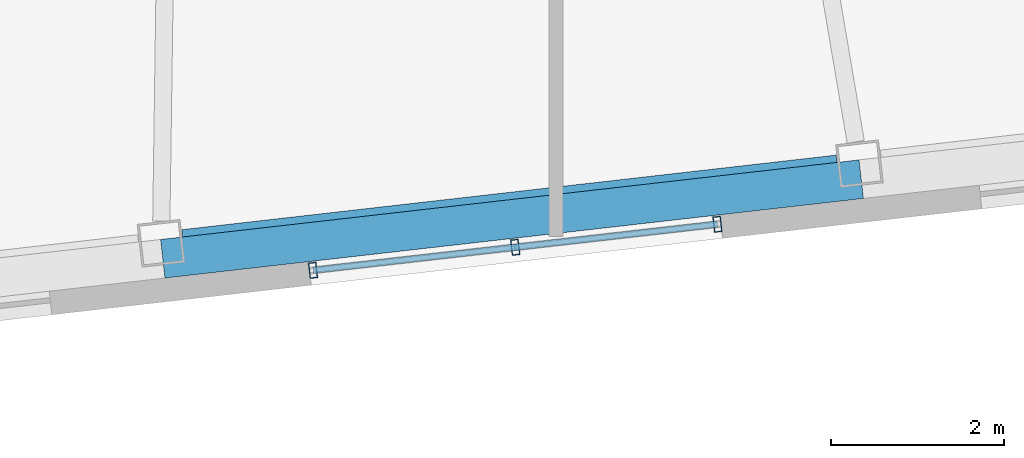
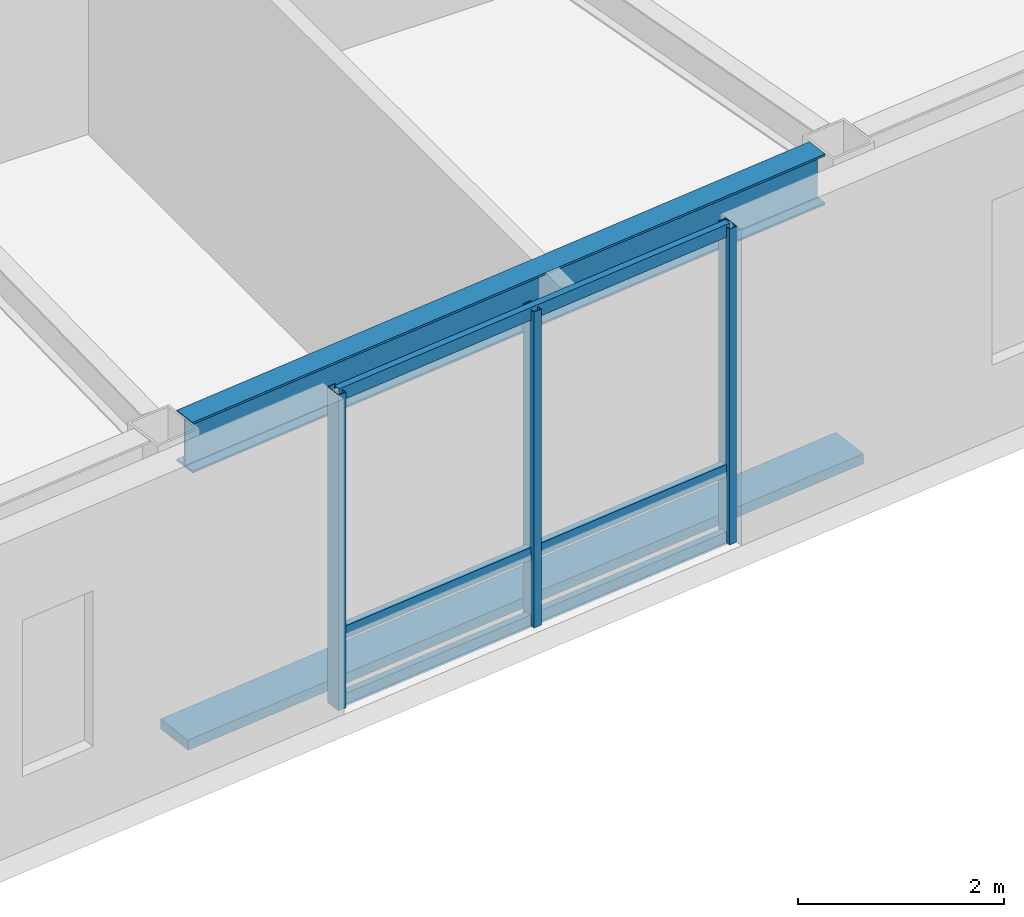
# One storey, part 6 of 19: 7 members, 1 beam, 1 element without a shape of its own.
"""IFC4 building model written with IfcOpenShell, lengths in metres."""

from ifc_helpers import new_model, si_unit, direction, frame, origin, origin_2d, place, context, subcontext, project, spatial, rectangle, hollow_rectangle, i_section, extrude, material, layer, layer_set, material_profile, profile_set, type_object, element, aggregate, save


model = new_model("IFC4")

# Units and contexts
model_context = context("Model", 3, precision=1e-05, world=origin(), true_north=direction((0.0, 1.0)))
body_context = subcontext(model_context, "Body", "Model", "MODEL_VIEW")
ifc_project = project(units=[si_unit("LENGTHUNIT", "METRE"), si_unit("AREAUNIT", "SQUARE_METRE"), si_unit("VOLUMEUNIT", "CUBIC_METRE"), si_unit("PLANEANGLEUNIT", "RADIAN"), si_unit("MASSUNIT", "GRAM", prefix="KILO")], contexts=[model_context])

# Site, building, storey
site_placement = place(None, origin())
site = spatial("IfcSite", under=ifc_project, at=site_placement, CompositionType="ELEMENT")
building_placement = place(site_placement, origin())
building = spatial("IfcBuilding", under=site, at=building_placement, Name="Tavrogorsk Clinical Tower", CompositionType="ELEMENT")
storey_placement = place(building_placement, frame((0.0, 0.0, 255.0)))
storey = spatial("IfcBuildingStorey", under=building, at=storey_placement, Name="L59", CompositionType="ELEMENT", Elevation=255.0)

# Member
ifc_material_1 = material(Name="Anodised aluminium alloy AW-6063", Category="aluminium")
ifc_material_profile_1 = material_profile(ifc_material_1, rectangle(XDim=0.449951171875, YDim=0.1201171875, at=origin_2d()), Name="ALU-SUNSHADE-450x120")
ifc_profile_set_1 = profile_set([ifc_material_profile_1], Name="Anodised aluminium alloy AW-6063")
member_type_1 = type_object("IfcMemberType", Name="ChicagoSunshade_450x120", PredefinedType="USERDEFINED", material=ifc_profile_set_1)
member_1_placement = place(storey_placement, frame((4.240478515625, -19.29150390625, 0.179931640625), z_axis=(0.9935729766, 0.113193375116, 0.0), x_axis=(-0.113193375116, 0.9935729766, 0.0)))
element("IfcMember", 1, at=member_1_placement, inside=storey, type_object=member_type_1, Name="L59 South Aluminium Sunshade S5", ObjectType="SUNSHADE", PredefinedType="USERDEFINED", context=body_context, shape_type="SweptSolid", body=[
    extrude(rectangle(XDim=0.449951171875, YDim=0.1201171875, at=origin_2d()), origin(), (0.0, 0.0, 1.0), 8.148681640625),
])

# Curtain wall, members
ifc_material_2 = material(Name="Anodised aluminium and triple IGU glazing", Category="aluminium")
ifc_layer = layer(ifc_material_2, 0.179931640625)
ifc_layer_set = layer_set([ifc_layer], Name="Anodised aluminium and triple IGU glazing")
curtain_wall_type = type_object("IfcCurtainWallType", Name="CW3_SouthSlot", PredefinedType="NOTDEFINED", material=ifc_layer_set)
curtain_wall_placement = place(storey_placement, origin())
curtain_wall = element("IfcCurtainWall", 2, at=curtain_wall_placement, inside=storey, type_object=curtain_wall_type, Name="L59 Curtain Wall CW-L59-S-SLOT-2", PredefinedType="NOTDEFINED")
ifc_material_3 = material(Name="Anodised aluminium alloy AW-6060", Category="aluminium")
ifc_material_profile_2 = material_profile(ifc_material_3, hollow_rectangle(XDim=0.090087890625, YDim=0.179931640625, WallThickness=0.00634765625, at=origin_2d()), Name="RHS-180x90x6.3")
ifc_profile_set_2 = profile_set([ifc_material_profile_2], Name="Anodised aluminium alloy AW-6060")
member_type_2 = type_object("IfcMemberType", Name="CwMullion_180x90", PredefinedType="MULLION", material=ifc_profile_set_2)
member_2_placement = place(storey_placement, frame((5.982177734375, -19.42529296875, 0.0), z_axis=(0.0, 0.0, 1.0), x_axis=(0.993571855603, 0.11320321441, 0.0)))
member_2 = element("IfcMember", 3, at=member_2_placement, type_object=member_type_2, Name="CW-L59-S-SLOT-2 Mullion 1", PredefinedType="MULLION", context=body_context, shape_type="SweptSolid", body=[
    extrude(hollow_rectangle(XDim=0.090087890625, YDim=0.179931640625, WallThickness=0.00634765625, at=origin_2d()), origin(), (0.0, 0.0, 1.0), 3.739990234375),
])
member_3_placement = place(storey_placement, frame((8.325927734375, -19.158203125, 0.0), z_axis=(0.0, 0.0, 1.0), x_axis=(0.993571855603, 0.11320321441, 0.0)))
member_3 = element("IfcMember", 4, at=member_3_placement, type_object=member_type_2, Name="CW-L59-S-SLOT-2 Mullion 2", PredefinedType="MULLION", context=body_context, shape_type="SweptSolid", body=[
    extrude(hollow_rectangle(XDim=0.090087890625, YDim=0.179931640625, WallThickness=0.00634765625, at=origin_2d()), origin(), (0.0, 0.0, 1.0), 3.739990234375),
])
member_4_placement = place(storey_placement, frame((10.669677734375, -18.89111328125, 0.0), z_axis=(0.0, 0.0, 1.0), x_axis=(0.993571855603, 0.11320321441, 0.0)))
member_4 = element("IfcMember", 5, at=member_4_placement, type_object=member_type_2, Name="CW-L59-S-SLOT-2 Mullion 3", PredefinedType="MULLION", context=body_context, shape_type="SweptSolid", body=[
    extrude(hollow_rectangle(XDim=0.090087890625, YDim=0.179931640625, WallThickness=0.00634765625, at=origin_2d()), origin(), (0.0, 0.0, 1.0), 3.739990234375),
])
ifc_material_4 = material(Name="Anodised aluminium alloy AW-6060", Category="aluminium")
ifc_material_profile_3 = material_profile(ifc_material_4, hollow_rectangle(XDim=0.074951171875, YDim=0.14990234375, WallThickness=0.0048828125, at=origin_2d()), Name="RHS-150x75x5")
ifc_profile_set_3 = profile_set([ifc_material_profile_3], Name="Anodised aluminium alloy AW-6060")
member_type_3 = type_object("IfcMemberType", Name="CwTransom_150x75", PredefinedType="USERDEFINED", material=ifc_profile_set_3)
member_5_placement = place(storey_placement, frame((5.982177734375, -19.42529296875, 0.050048828125), z_axis=(0.993569315854, 0.113225503286, 0.0), x_axis=(-0.113225503286, 0.993569315854, 0.0)))
member_5 = element("IfcMember", 6, at=member_5_placement, type_object=member_type_3, Name="CW-L59-S-SLOT-2 Transom 1", ObjectType="TRANSOM", PredefinedType="USERDEFINED", context=body_context, shape_type="SweptSolid", body=[
    extrude(hollow_rectangle(XDim=0.074951171875, YDim=0.14990234375, WallThickness=0.0048828125, at=origin_2d()), origin(), (0.0, 0.0, 1.0), 4.7177734375),
])
member_6_placement = place(storey_placement, frame((5.982177734375, -19.42529296875, 0.85009765625), z_axis=(0.993569315854, 0.113225503286, 0.0), x_axis=(-0.113225503286, 0.993569315854, 0.0)))
member_6 = element("IfcMember", 7, at=member_6_placement, type_object=member_type_3, Name="CW-L59-S-SLOT-2 Transom 2", ObjectType="TRANSOM", PredefinedType="USERDEFINED", context=body_context, shape_type="SweptSolid", body=[
    extrude(hollow_rectangle(XDim=0.074951171875, YDim=0.14990234375, WallThickness=0.0048828125, at=origin_2d()), origin(), (0.0, 0.0, 1.0), 4.7177734375),
])
member_7_placement = place(storey_placement, frame((5.982177734375, -19.42529296875, 3.68994140625), z_axis=(0.993569315854, 0.113225503286, 0.0), x_axis=(-0.113225503286, 0.993569315854, 0.0)))
member_7 = element("IfcMember", 8, at=member_7_placement, type_object=member_type_3, Name="CW-L59-S-SLOT-2 Transom 3", ObjectType="TRANSOM", PredefinedType="USERDEFINED", context=body_context, shape_type="SweptSolid", body=[
    extrude(hollow_rectangle(XDim=0.074951171875, YDim=0.14990234375, WallThickness=0.0048828125, at=origin_2d()), origin(), (0.0, 0.0, 1.0), 4.7177734375),
])
aggregate(curtain_wall, [member_2, member_3, member_4, member_5, member_6, member_7])

# Beam
ifc_material_5 = material(Name="Structural steel S390", Category="steel")
ifc_material_profile_4 = material_profile(ifc_material_5, i_section(OverallWidth=0.260009765625, OverallDepth=0.60009765625, WebThickness=0.014892578125, FlangeThickness=0.02392578125, at=origin_2d()), Name="B-600x260x15x24")
ifc_profile_set_4 = profile_set([ifc_material_profile_4], Name="Structural steel S390")
beam_type = type_object("IfcBeamType", Name="SpandrelBeam_B600", PredefinedType="SPANDREL", material=ifc_profile_set_4)
beam_placement = place(storey_placement, frame((4.476318359375, -19.08349609375, 3.43994140625), z_axis=(0.993572509708, 0.113197473259, 0.0), x_axis=(-0.113197473259, 0.993572509708, 0.0)))
element("IfcBeam", 9, at=beam_placement, inside=storey, type_object=beam_type, Name="L59 Perimeter Spandrel S5-S6", PredefinedType="SPANDREL", context=body_context, shape_type="SweptSolid", body=[
    extrude(i_section(OverallWidth=0.260009765625, OverallDepth=0.60009765625, WebThickness=0.014892578125, FlangeThickness=0.02392578125, at=origin_2d()), origin(), (0.0, 0.0, 1.0), 7.6328125),
])

save(model, "model.ifc")
